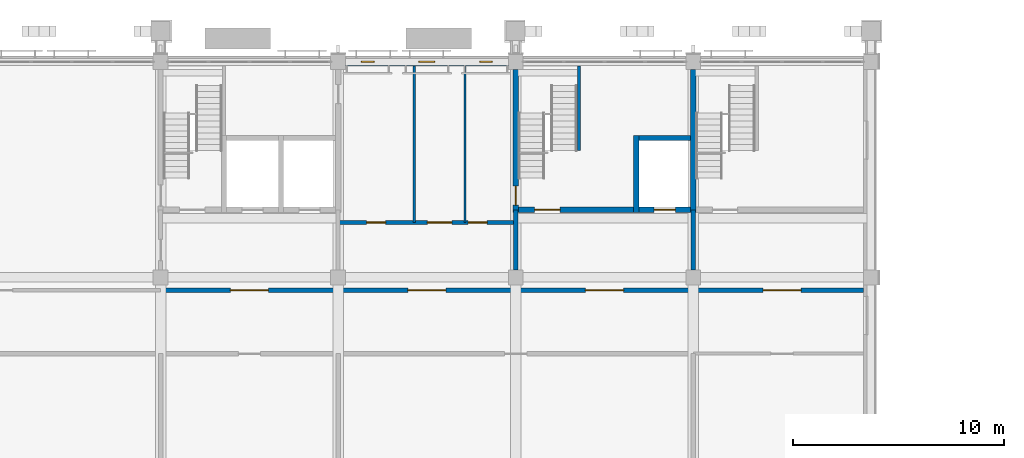
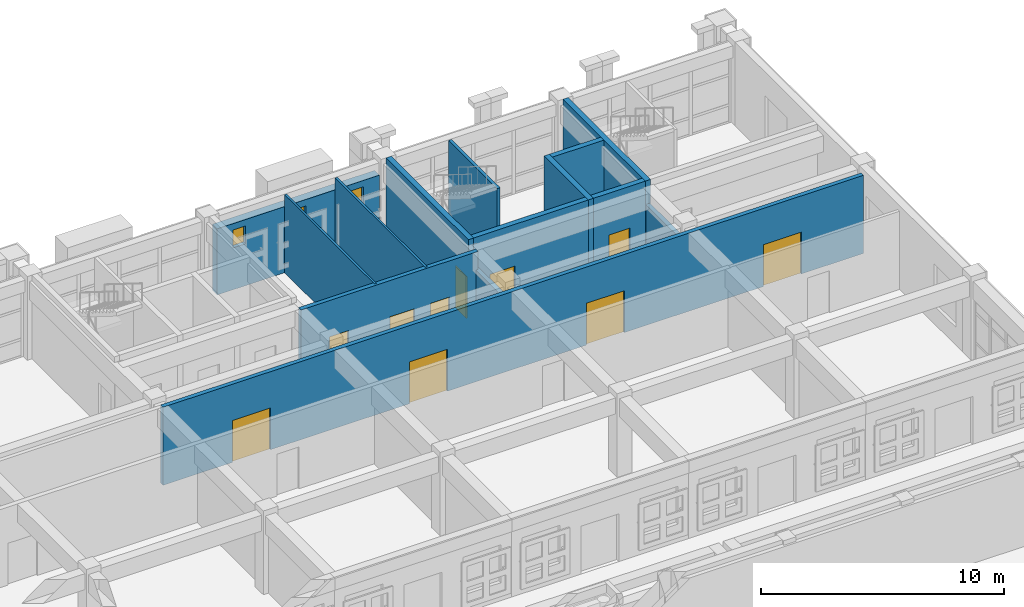
# One storey, part 66 of 99: 14 walls, 10 doors, 3 windows, 13 openings.
"""IFC4 building model written with IfcOpenShell, lengths in metres."""

from ifc_helpers import new_model, si_unit, direction, frame, frame_2d, origin, place, context, subcontext, project, spatial, rectangle, extrude, material, layer, layer_set, type_object, element, fill, save


model = new_model("IFC4")

# Units and contexts
model_context = context("Model", 3, precision=1e-05, world=origin(), true_north=direction((0.0, 1.0)))
body_context = subcontext(model_context, "Body", "Model", "MODEL_VIEW")
ifc_project = project(units=[si_unit("LENGTHUNIT", "METRE"), si_unit("AREAUNIT", "SQUARE_METRE"), si_unit("VOLUMEUNIT", "CUBIC_METRE"), si_unit("PLANEANGLEUNIT", "RADIAN"), si_unit("MASSUNIT", "GRAM", prefix="KILO")], contexts=[model_context])

# Site, building, storey
site_placement = place(None, origin())
site = spatial("IfcSite", under=ifc_project, at=site_placement, CompositionType="ELEMENT")
building_placement = place(site_placement, origin())
building = spatial("IfcBuilding", under=site, at=building_placement, Name="Wasatch Bagh Community Centre", CompositionType="ELEMENT")
storey_placement = place(building_placement, frame((0.0, 0.0, 4.199951171875)))
storey = spatial("IfcBuildingStorey", under=building, at=storey_placement, Name="L01", CompositionType="ELEMENT", Elevation=4.199951171875)

# Wall, opening, door
ifc_material_1 = material(Name="Concrete C40", Category="concrete")
ifc_layer_1 = layer(ifc_material_1, 0.25)
ifc_layer_set_1 = layer_set([ifc_layer_1], Name="Concrete C40")
wall_type_1 = type_object("IfcWallType", Name="LW core wall 250", PredefinedType="SHEAR", material=ifc_layer_set_1)
wall_1_placement = place(storey_placement, frame((122.925048828125, 90.800048828125, 0.0), z_axis=(0.0, 0.0, 1.0), x_axis=(1.0, 0.0, 0.0)))
wall_1 = element("IfcWall", 1, at=wall_1_placement, inside=storey, type_object=wall_type_1, Name="LW.swall.L01.07", PredefinedType="SHEAR", context=body_context, shape_type="SweptSolid", body=[
    extrude(rectangle(XDim=5.449951171875, YDim=0.25, at=frame_2d((2.72509765625, 0.0))), origin(), (0.0, 0.0, 1.0), 4.199951171875),
])
opening_1_placement = place(wall_1_placement, frame((0.77490234375, 0.0, 0.0)))
opening_1 = element("IfcOpeningElement", 2, at=opening_1_placement, cuts=wall_1, Name="Opening 1L-44", PredefinedType="OPENING", context=body_context, shape_type="SweptSolid", body=[
    extrude(rectangle(XDim=1.199951171875, YDim=2.10009765625, at=frame_2d((0.60009765625, 1.050048828125))), frame((0.0, 0.135009765625, 0.0), z_axis=(0.0, -1.0, 0.0), x_axis=(1.0, 0.0, 0.0)), (0.0, 0.0, 1.0), 0.27001953125),
])
ifc_material_2 = material(Name="Painted timber", Category="wood")
door_type_1 = type_object("IfcDoorType", Name="LW stair door 1200x2100", OperationType="SINGLE_SWING_LEFT", PredefinedType="DOOR", material=ifc_material_2)
door_1_placement = place(opening_1_placement, origin())
door_1 = element("IfcDoor", 3, at=door_1_placement, inside=storey, type_object=door_type_1, Name="Stair door 1L-44", OperationType="SINGLE_SWING_RIGHT", OverallHeight=2.10009765625, OverallWidth=1.199951171875, PredefinedType="DOOR", context=body_context, shape_type="SweptSolid", body=[
    extrude(rectangle(XDim=1.199951171875, YDim=2.10009765625, at=frame_2d((0.60009765625, 1.050048828125))), frame((0.0, 0.02490234375, 0.0), z_axis=(0.0, -1.0, 0.0), x_axis=(1.0, 0.0, 0.0)), (0.0, 0.0, 1.0), 0.050048828125),
])
fill(opening_1, door_1)

wall_2_placement = place(storey_placement, frame((128.625, 90.800048828125, 0.0), z_axis=(0.0, 0.0, 1.0), x_axis=(1.0, 0.0, 0.0)))
wall_2 = element("IfcWall", 4, at=wall_2_placement, inside=storey, type_object=wall_type_1, Name="LW.swall.L01.08", PredefinedType="SHEAR", context=body_context, shape_type="SweptSolid", body=[
    extrude(rectangle(XDim=2.449951171875, YDim=0.25, at=frame_2d((1.22509765625, 0.0))), origin(), (0.0, 0.0, 1.0), 4.199951171875),
])
opening_2_placement = place(wall_2_placement, frame((0.72509765625, 0.0, 0.0)))
opening_2 = element("IfcOpeningElement", 5, at=opening_2_placement, cuts=wall_2, Name="Opening 1L-45", PredefinedType="OPENING", context=body_context, shape_type="SweptSolid", body=[
    extrude(rectangle(XDim=1.0, YDim=2.10009765625, at=frame_2d((0.5, 1.050048828125))), frame((0.0, 0.135009765625, 0.0), z_axis=(0.0, -1.0, 0.0), x_axis=(1.0, 0.0, 0.0)), (0.0, 0.0, 1.0), 0.27001953125),
])
ifc_material_3 = material(Name="Stainless steel landing door", Category="steel")
door_type_2 = type_object("IfcDoorType", Name="Lift landing door 1000 x 2100", OperationType="SLIDING_TO_LEFT", PredefinedType="DOOR", material=ifc_material_3)
door_2_placement = place(opening_2_placement, origin())
door_2 = element("IfcDoor", 6, at=door_2_placement, inside=storey, type_object=door_type_2, Name="Lift landing door LD 1L-45", OperationType="SLIDING_TO_LEFT", OverallHeight=2.10009765625, OverallWidth=1.0, PredefinedType="DOOR", context=body_context, shape_type="SweptSolid", body=[
    extrude(rectangle(XDim=1.0, YDim=2.10009765625, at=frame_2d((0.5, 1.050048828125))), frame((0.0, 0.02490234375, 0.0), z_axis=(0.0, -1.0, 0.0), x_axis=(1.0, 0.0, 0.0)), (0.0, 0.0, 1.0), 0.050048828125),
])
fill(opening_2, door_2)

# Wall
wall_3_placement = place(storey_placement, frame((128.625, 94.199951171875, 0.0), z_axis=(0.0, 0.0, 1.0), x_axis=(1.0, 0.0, 0.0)))
element("IfcWall", 7, at=wall_3_placement, inside=storey, type_object=wall_type_1, Name="LW.swall.L01.13", PredefinedType="SHEAR", context=body_context, shape_type="SweptSolid", body=[
    extrude(rectangle(XDim=2.449951171875, YDim=0.25, at=frame_2d((1.22509765625, 0.0))), origin(), (0.0, 0.0, 1.0), 4.199951171875),
])

# Wall, opening, door
wall_4_placement = place(storey_placement, frame((122.800048828125, 90.675048828125, 0.0), z_axis=(0.0, 0.0, 1.0), x_axis=(0.0, 1.0, 0.0)))
wall_4 = element("IfcWall", 8, at=wall_4_placement, inside=storey, type_object=wall_type_1, Name="LW.swall.L01.24", PredefinedType="SHEAR", context=body_context, shape_type="SweptSolid", body=[
    extrude(rectangle(XDim=6.77490234375, YDim=0.25, at=frame_2d((3.387451171875, 0.0))), origin(), (0.0, 0.0, 1.0), 4.199951171875),
])
opening_3_placement = place(wall_4_placement, frame((0.35009765625, 0.0, 0.0)))
opening_3 = element("IfcOpeningElement", 9, at=opening_3_placement, cuts=wall_4, Name="Opening 1L-31", PredefinedType="OPENING", context=body_context, shape_type="SweptSolid", body=[
    extrude(rectangle(XDim=0.89990234375, YDim=2.10009765625, at=frame_2d((0.449951171875, 1.050048828125))), frame((0.0, 0.135009765625, 0.0), z_axis=(0.0, -1.0, 0.0), x_axis=(1.0, 0.0, 0.0)), (0.0, 0.0, 1.0), 0.27001953125),
])
door_type_3 = type_object("IfcDoorType", Name="LW WC door 900x2100", OperationType="SINGLE_SWING_LEFT", PredefinedType="DOOR", material=ifc_material_2)
door_3_placement = place(opening_3_placement, origin())
door_3 = element("IfcDoor", 10, at=door_3_placement, inside=storey, type_object=door_type_3, Name="Door Men's Toilets 1L-31", OperationType="SINGLE_SWING_LEFT", OverallHeight=2.10009765625, OverallWidth=0.89990234375, PredefinedType="DOOR", context=body_context, shape_type="SweptSolid", body=[
    extrude(rectangle(XDim=0.89990234375, YDim=2.10009765625, at=frame_2d((0.449951171875, 1.050048828125))), frame((0.0, 0.02490234375, 0.0), z_axis=(0.0, -1.0, 0.0), x_axis=(1.0, 0.0, 0.0)), (0.0, 0.0, 1.0), 0.050048828125),
])
fill(opening_3, door_3)

# Walls
wall_5_placement = place(storey_placement, frame((128.5, 90.675048828125, 0.0), z_axis=(0.0, 0.0, 1.0), x_axis=(0.0, 1.0, 0.0)))
element("IfcWall", 11, at=wall_5_placement, inside=storey, type_object=wall_type_1, Name="LW.swall.L01.25", PredefinedType="SHEAR", context=body_context, shape_type="SweptSolid", body=[
    extrude(rectangle(XDim=3.64990234375, YDim=0.25, at=frame_2d((1.824951171875, 0.0))), origin(), (0.0, 0.0, 1.0), 4.199951171875),
])
wall_6_placement = place(storey_placement, frame((131.199951171875, 90.675048828125, 0.0), z_axis=(0.0, 0.0, 1.0), x_axis=(0.0, 1.0, 0.0)))
element("IfcWall", 12, at=wall_6_placement, inside=storey, type_object=wall_type_1, Name="LW.swall.L01.26", PredefinedType="SHEAR", context=body_context, shape_type="SweptSolid", body=[
    extrude(rectangle(XDim=6.77490234375, YDim=0.25, at=frame_2d((3.387451171875, 0.0))), origin(), (0.0, 0.0, 1.0), 4.199951171875),
])

# Wall, openings, windows
ifc_material_4 = material(Name="Concrete C35", Category="concrete")
ifc_layer_2 = layer(ifc_material_4, 0.39990234375)
ifc_layer_set_2 = layer_set([ifc_layer_2], Name="Concrete C35")
wall_type_2 = type_object("IfcWallType", Name="LW facade wall 400", PredefinedType="SOLIDWALL", material=ifc_layer_set_2)
wall_7_placement = place(storey_placement, frame((114.75, 97.800048828125, 0.0), z_axis=(0.0, 0.0, 1.0), x_axis=(1.0, 0.0, 0.0)))
wall_7 = element("IfcWall", 13, at=wall_7_placement, inside=storey, type_object=wall_type_2, Name="Facade wall", PredefinedType="SOLIDWALL", context=body_context, shape_type="SweptSolid", body=[
    extrude(rectangle(XDim=7.699951171875, YDim=0.39990234375, at=frame_2d((3.85009765625, 0.0))), origin(), (0.0, 0.0, 1.0), 3.320068359375),
])
opening_4_placement = place(wall_7_placement, frame((0.75, 0.0, 2.10009765625)))
opening_4 = element("IfcOpeningElement", 14, at=opening_4_placement, cuts=wall_7, Name="Opening 1L-W022", PredefinedType="OPENING", context=body_context, shape_type="SweptSolid", body=[
    extrude(rectangle(XDim=0.60009765625, YDim=0.89990234375, at=frame_2d((0.300048828125, 0.449951171875))), frame((0.0, 0.2099609375, 0.0), z_axis=(0.0, -1.0, 0.0), x_axis=(1.0, 0.0, 0.0)), (0.0, 0.0, 1.0), 0.419921875),
])
opening_5_placement = place(wall_7_placement, frame((3.47509765625, 0.0, 2.10009765625)))
opening_5 = element("IfcOpeningElement", 15, at=opening_5_placement, cuts=wall_7, Name="Opening 1L-W023", PredefinedType="OPENING", context=body_context, shape_type="SweptSolid", body=[
    extrude(rectangle(XDim=0.75, YDim=0.89990234375, at=frame_2d((0.375, 0.449951171875))), frame((0.0, 0.2099609375, 0.0), z_axis=(0.0, -1.0, 0.0), x_axis=(1.0, 0.0, 0.0)), (0.0, 0.0, 1.0), 0.419921875),
])
opening_6_placement = place(wall_7_placement, frame((6.35009765625, 0.0, 2.10009765625)))
opening_6 = element("IfcOpeningElement", 16, at=opening_6_placement, cuts=wall_7, Name="Opening 1L-W024", PredefinedType="OPENING", context=body_context, shape_type="SweptSolid", body=[
    extrude(rectangle(XDim=0.60009765625, YDim=0.89990234375, at=frame_2d((0.300048828125, 0.449951171875))), frame((0.0, 0.2099609375, 0.0), z_axis=(0.0, -1.0, 0.0), x_axis=(1.0, 0.0, 0.0)), (0.0, 0.0, 1.0), 0.419921875),
])
ifc_material_5 = material(Name="Aluminium framed double glazing", Category="aluminium")
window_type_1 = type_object("IfcWindowType", Name="LW WC window 600x900", PartitioningType="SINGLE_PANEL", PredefinedType="WINDOW", material=ifc_material_5)
window_1_placement = place(opening_4_placement, origin())
window_1 = element("IfcWindow", 17, at=window_1_placement, inside=storey, type_object=window_type_1, Name="Window 1L-W022", OverallHeight=0.89990234375, OverallWidth=0.60009765625, PartitioningType="SINGLE_PANEL", PredefinedType="WINDOW", context=body_context, shape_type="SweptSolid", body=[
    extrude(rectangle(XDim=0.60009765625, YDim=0.89990234375, at=frame_2d((0.300048828125, 0.449951171875))), frame((0.0, 0.030029296875, 0.0), z_axis=(0.0, -1.0, 0.0), x_axis=(1.0, 0.0, 0.0)), (0.0, 0.0, 1.0), 0.06005859375),
])
fill(opening_4, window_1)
window_2_placement = place(opening_6_placement, origin())
window_2 = element("IfcWindow", 18, at=window_2_placement, inside=storey, type_object=window_type_1, Name="Window 1L-W024", OverallHeight=0.89990234375, OverallWidth=0.60009765625, PartitioningType="SINGLE_PANEL", PredefinedType="WINDOW", context=body_context, shape_type="SweptSolid", body=[
    extrude(rectangle(XDim=0.60009765625, YDim=0.89990234375, at=frame_2d((0.300048828125, 0.449951171875))), frame((0.0, 0.030029296875, 0.0), z_axis=(0.0, -1.0, 0.0), x_axis=(1.0, 0.0, 0.0)), (0.0, 0.0, 1.0), 0.06005859375),
])
fill(opening_6, window_2)
window_type_2 = type_object("IfcWindowType", Name="LW accessible WC window 750x900", PartitioningType="SINGLE_PANEL", PredefinedType="WINDOW", material=ifc_material_5)
window_3_placement = place(opening_5_placement, origin())
window_3 = element("IfcWindow", 19, at=window_3_placement, inside=storey, type_object=window_type_2, Name="Window 1L-W023", OverallHeight=0.89990234375, OverallWidth=0.75, PartitioningType="SINGLE_PANEL", PredefinedType="WINDOW", context=body_context, shape_type="SweptSolid", body=[
    extrude(rectangle(XDim=0.75, YDim=0.89990234375, at=frame_2d((0.375, 0.449951171875))), frame((0.0, 0.030029296875, 0.0), z_axis=(0.0, -1.0, 0.0), x_axis=(1.0, 0.0, 0.0)), (0.0, 0.0, 1.0), 0.06005859375),
])
fill(opening_5, window_3)

# Wall, openings, doors
ifc_material_6 = material(Name="Blockwork fire partition", Category="masonry")
ifc_layer_3 = layer(ifc_material_6, 0.199951171875)
ifc_layer_set_3 = layer_set([ifc_layer_3], Name="Blockwork fire partition")
wall_type_3 = type_object("IfcWallType", Name="LW fire partition 200", PredefinedType="PARTITIONING", material=ifc_layer_set_3)
wall_8_placement = place(storey_placement, frame((106.0, 87.0, 0.0), z_axis=(0.0, 0.0, 1.0), x_axis=(1.0, 0.0, 0.0)))
wall_8 = element("IfcWall", 20, at=wall_8_placement, inside=storey, type_object=wall_type_3, Name="LW.part.L01.006", PredefinedType="PARTITIONING", context=body_context, shape_type="SweptSolid", body=[
    extrude(rectangle(XDim=33.25, YDim=0.199951171875, at=frame_2d((16.625, 0.0))), origin(), (0.0, 0.0, 1.0), 3.920166015625),
])
opening_7_placement = place(wall_8_placement, frame((3.300048828125, 0.0, 0.0)))
opening_7 = element("IfcOpeningElement", 21, at=opening_7_placement, cuts=wall_8, Name="Opening 1L-34", PredefinedType="OPENING", context=body_context, shape_type="SweptSolid", body=[
    extrude(rectangle(XDim=1.800048828125, YDim=2.10009765625, at=frame_2d((0.89990234375, 1.050048828125))), frame((0.0, 0.10986328125, 0.0), z_axis=(0.0, -1.0, 0.0), x_axis=(1.0, 0.0, 0.0)), (0.0, 0.0, 1.0), 0.219970703125),
])
opening_8_placement = place(wall_8_placement, frame((11.699951171875, 0.0, 0.0)))
opening_8 = element("IfcOpeningElement", 22, at=opening_8_placement, cuts=wall_8, Name="Opening 1L-35", PredefinedType="OPENING", context=body_context, shape_type="SweptSolid", body=[
    extrude(rectangle(XDim=1.800048828125, YDim=2.10009765625, at=frame_2d((0.89990234375, 1.050048828125))), frame((0.0, 0.10986328125, 0.0), z_axis=(0.0, -1.0, 0.0), x_axis=(1.0, 0.0, 0.0)), (0.0, 0.0, 1.0), 0.219970703125),
])
opening_9_placement = place(wall_8_placement, frame((20.10009765625, 0.0, 0.0)))
opening_9 = element("IfcOpeningElement", 23, at=opening_9_placement, cuts=wall_8, Name="Opening 1L-36", PredefinedType="OPENING", context=body_context, shape_type="SweptSolid", body=[
    extrude(rectangle(XDim=1.800048828125, YDim=2.10009765625, at=frame_2d((0.89990234375, 1.050048828125))), frame((0.0, 0.10986328125, 0.0), z_axis=(0.0, -1.0, 0.0), x_axis=(1.0, 0.0, 0.0)), (0.0, 0.0, 1.0), 0.219970703125),
])
opening_10_placement = place(wall_8_placement, frame((28.5, 0.0, 0.0)))
opening_10 = element("IfcOpeningElement", 24, at=opening_10_placement, cuts=wall_8, Name="Opening 1L-37", PredefinedType="OPENING", context=body_context, shape_type="SweptSolid", body=[
    extrude(rectangle(XDim=1.800048828125, YDim=2.10009765625, at=frame_2d((0.89990234375, 1.050048828125))), frame((0.0, 0.10986328125, 0.0), z_axis=(0.0, -1.0, 0.0), x_axis=(1.0, 0.0, 0.0)), (0.0, 0.0, 1.0), 0.219970703125),
])
door_type_4 = type_object("IfcDoorType", Name="LW door pair 1800x2100", OperationType="DOUBLE_DOOR_SINGLE_SWING", PredefinedType="DOOR", material=ifc_material_2)
door_4_placement = place(opening_7_placement, origin())
door_4 = element("IfcDoor", 25, at=door_4_placement, inside=storey, type_object=door_type_4, Name="Door Core Lobby C2 1L-34", OperationType="DOUBLE_DOOR_SINGLE_SWING", OverallHeight=2.10009765625, OverallWidth=1.800048828125, PredefinedType="DOOR", context=body_context, shape_type="SweptSolid", body=[
    extrude(rectangle(XDim=1.800048828125, YDim=2.10009765625, at=frame_2d((0.89990234375, 1.050048828125))), frame((0.0, 0.02490234375, 0.0), z_axis=(0.0, -1.0, 0.0), x_axis=(1.0, 0.0, 0.0)), (0.0, 0.0, 1.0), 0.050048828125),
])
fill(opening_7, door_4)
door_5_placement = place(opening_8_placement, origin())
door_5 = element("IfcDoor", 26, at=door_5_placement, inside=storey, type_object=door_type_4, Name="Door WC Lobby 1L-35", OperationType="DOUBLE_DOOR_SINGLE_SWING", OverallHeight=2.10009765625, OverallWidth=1.800048828125, PredefinedType="DOOR", context=body_context, shape_type="SweptSolid", body=[
    extrude(rectangle(XDim=1.800048828125, YDim=2.10009765625, at=frame_2d((0.89990234375, 1.050048828125))), frame((0.0, 0.02490234375, 0.0), z_axis=(0.0, -1.0, 0.0), x_axis=(1.0, 0.0, 0.0)), (0.0, 0.0, 1.0), 0.050048828125),
])
fill(opening_8, door_5)
door_6_placement = place(opening_9_placement, origin())
door_6 = element("IfcDoor", 27, at=door_6_placement, inside=storey, type_object=door_type_4, Name="Door Core Lobby C3 1L-36", OperationType="DOUBLE_DOOR_SINGLE_SWING", OverallHeight=2.10009765625, OverallWidth=1.800048828125, PredefinedType="DOOR", context=body_context, shape_type="SweptSolid", body=[
    extrude(rectangle(XDim=1.800048828125, YDim=2.10009765625, at=frame_2d((0.89990234375, 1.050048828125))), frame((0.0, 0.02490234375, 0.0), z_axis=(0.0, -1.0, 0.0), x_axis=(1.0, 0.0, 0.0)), (0.0, 0.0, 1.0), 0.050048828125),
])
fill(opening_9, door_6)
door_7_placement = place(opening_10_placement, origin())
door_7 = element("IfcDoor", 28, at=door_7_placement, inside=storey, type_object=door_type_4, Name="Door East Stair Lobby 1L-37", OperationType="DOUBLE_DOOR_SINGLE_SWING", OverallHeight=2.10009765625, OverallWidth=1.800048828125, PredefinedType="DOOR", context=body_context, shape_type="SweptSolid", body=[
    extrude(rectangle(XDim=1.800048828125, YDim=2.10009765625, at=frame_2d((0.89990234375, 1.050048828125))), frame((0.0, 0.02490234375, 0.0), z_axis=(0.0, -1.0, 0.0), x_axis=(1.0, 0.0, 0.0)), (0.0, 0.0, 1.0), 0.050048828125),
])
fill(opening_10, door_7)

wall_9_placement = place(storey_placement, frame((114.39990234375, 90.199951171875, 0.0), z_axis=(0.0, 0.0, 1.0), x_axis=(1.0, 0.0, 0.0)))
wall_9 = element("IfcWall", 29, at=wall_9_placement, inside=storey, type_object=wall_type_3, Name="LW.part.L01.009", PredefinedType="PARTITIONING", context=body_context, shape_type="SweptSolid", body=[
    extrude(rectangle(XDim=8.400146484375, YDim=0.199951171875, at=frame_2d((4.2001953125, 0.0))), origin(), (0.0, 0.0, 1.0), 3.920166015625),
])
opening_11_placement = place(wall_9_placement, frame((1.35009765625, 0.0, 0.0)))
opening_11 = element("IfcOpeningElement", 30, at=opening_11_placement, cuts=wall_9, Name="Opening 1L-28", PredefinedType="OPENING", context=body_context, shape_type="SweptSolid", body=[
    extrude(rectangle(XDim=0.89990234375, YDim=2.10009765625, at=frame_2d((0.449951171875, 1.050048828125))), frame((0.0, 0.10986328125, 0.0), z_axis=(0.0, -1.0, 0.0), x_axis=(1.0, 0.0, 0.0)), (0.0, 0.0, 1.0), 0.219970703125),
])
opening_12_placement = place(wall_9_placement, frame((4.22509765625, 0.0, 0.0)))
opening_12 = element("IfcOpeningElement", 31, at=opening_12_placement, cuts=wall_9, Name="Opening 1L-29", PredefinedType="OPENING", context=body_context, shape_type="SweptSolid", body=[
    extrude(rectangle(XDim=1.14990234375, YDim=2.10009765625, at=frame_2d((0.574951171875, 1.050048828125))), frame((0.0, 0.10986328125, 0.0), z_axis=(0.0, -1.0, 0.0), x_axis=(1.0, 0.0, 0.0)), (0.0, 0.0, 1.0), 0.219970703125),
])
opening_13_placement = place(wall_9_placement, frame((6.14990234375, 0.0, 0.0)))
opening_13 = element("IfcOpeningElement", 32, at=opening_13_placement, cuts=wall_9, Name="Opening 1L-30", PredefinedType="OPENING", context=body_context, shape_type="SweptSolid", body=[
    extrude(rectangle(XDim=0.89990234375, YDim=2.10009765625, at=frame_2d((0.449951171875, 1.050048828125))), frame((0.0, 0.10986328125, 0.0), z_axis=(0.0, -1.0, 0.0), x_axis=(1.0, 0.0, 0.0)), (0.0, 0.0, 1.0), 0.219970703125),
])
door_8_placement = place(opening_11_placement, origin())
door_8 = element("IfcDoor", 33, at=door_8_placement, inside=storey, type_object=door_type_3, Name="Door Women's Toilets 1L-28", OperationType="SINGLE_SWING_RIGHT", OverallHeight=2.10009765625, OverallWidth=0.89990234375, PredefinedType="DOOR", context=body_context, shape_type="SweptSolid", body=[
    extrude(rectangle(XDim=0.89990234375, YDim=2.10009765625, at=frame_2d((0.449951171875, 1.050048828125))), frame((0.0, 0.02490234375, 0.0), z_axis=(0.0, -1.0, 0.0), x_axis=(1.0, 0.0, 0.0)), (0.0, 0.0, 1.0), 0.050048828125),
])
fill(opening_11, door_8)
door_9_placement = place(opening_13_placement, origin())
door_9 = element("IfcDoor", 34, at=door_9_placement, inside=storey, type_object=door_type_3, Name="Door Men's Toilets 1L-30", OperationType="SINGLE_SWING_RIGHT", OverallHeight=2.10009765625, OverallWidth=0.89990234375, PredefinedType="DOOR", context=body_context, shape_type="SweptSolid", body=[
    extrude(rectangle(XDim=0.89990234375, YDim=2.10009765625, at=frame_2d((0.449951171875, 1.050048828125))), frame((0.0, 0.02490234375, 0.0), z_axis=(0.0, -1.0, 0.0), x_axis=(1.0, 0.0, 0.0)), (0.0, 0.0, 1.0), 0.050048828125),
])
fill(opening_13, door_9)
door_type_5 = type_object("IfcDoorType", Name="LW accessible WC door 1150x2100", OperationType="SINGLE_SWING_LEFT", PredefinedType="DOOR", material=ifc_material_2)
door_10_placement = place(opening_12_placement, origin())
door_10 = element("IfcDoor", 35, at=door_10_placement, inside=storey, type_object=door_type_5, Name="Door Accessible WC 2 1L-29", OperationType="SINGLE_SWING_LEFT", OverallHeight=2.10009765625, OverallWidth=1.14990234375, PredefinedType="DOOR", context=body_context, shape_type="SweptSolid", body=[
    extrude(rectangle(XDim=1.14990234375, YDim=2.10009765625, at=frame_2d((0.574951171875, 1.050048828125))), frame((0.0, 0.02490234375, 0.0), z_axis=(0.0, -1.0, 0.0), x_axis=(1.0, 0.0, 0.0)), (0.0, 0.0, 1.0), 0.050048828125),
])
fill(opening_12, door_10)

# Walls
for number, where, z_axis, x_axis, name in (
    (36, (122.800048828125, 87.949951171875, 0.0), (0.0, 0.0, 1.0), (0.0, 1.0, 0.0), "LW.part.L01.027"),
    (37, (131.199951171875, 87.949951171875, 0.0), (0.0, 0.0, 1.0), (0.0, 1.0, 0.0), "LW.part.L01.028"),
):
    element("IfcWall", number, at=place(storey_placement, frame(where, z_axis=z_axis, x_axis=x_axis)), inside=storey, type_object=wall_type_3, Name=name, PredefinedType="PARTITIONING", context=body_context, shape_type="SweptSolid", body=[
        extrude(rectangle(XDim=2.85009765625, YDim=0.199951171875, at=frame_2d((1.425048828125, 0.0))), origin(), (0.0, 0.0, 1.0), 3.02001953125),
    ])
ifc_material_7 = material(Name="Gypsum board on steel studs", Category="steel")
ifc_layer_4 = layer(ifc_material_7, 0.14990234375)
ifc_layer_set_4 = layer_set([ifc_layer_4], Name="Gypsum board on steel studs")
wall_type_4 = type_object("IfcWallType", Name="LW partition 150", PredefinedType="PARTITIONING", material=ifc_layer_set_4)
wall_10_placement = place(storey_placement, frame((125.800048828125, 93.60009765625, 0.0), z_axis=(0.0, 0.0, 1.0), x_axis=(0.0, 1.0, 0.0)))
element("IfcWall", 38, at=wall_10_placement, inside=storey, type_object=wall_type_4, Name="Stair compartment wall", PredefinedType="PARTITIONING", context=body_context, shape_type="SweptSolid", body=[
    extrude(rectangle(XDim=4.0, YDim=0.14990234375, at=frame_2d((2.0, 0.0))), origin(), (0.0, 0.0, 1.0), 3.920166015625),
])
ifc_material_8 = material(Name="Tiled blockwork", Category="masonry")
ifc_layer_5 = layer(ifc_material_8, 0.10009765625)
ifc_layer_set_5 = layer_set([ifc_layer_5], Name="Tiled blockwork")
wall_type_5 = type_object("IfcWallType", Name="LW wet-room partition 100", PredefinedType="PARTITIONING", material=ifc_layer_set_5)
for number, where, z_axis, x_axis, name in (
    (39, (118.0, 90.199951171875, 0.0), (0.0, 0.0, 1.0), (0.0, 1.0, 0.0), "LW.part.L01.025"),
    (40, (120.39990234375, 90.199951171875, 0.0), (0.0, 0.0, 1.0), (0.0, 1.0, 0.0), "LW.part.L01.026"),
):
    element("IfcWall", number, at=place(storey_placement, frame(where, z_axis=z_axis, x_axis=x_axis)), inside=storey, type_object=wall_type_5, Name=name, PredefinedType="PARTITIONING", context=body_context, shape_type="SweptSolid", body=[
        extrude(rectangle(XDim=7.400146484375, YDim=0.10009765625, at=frame_2d((3.7001953125, 0.0))), origin(), (0.0, 0.0, 1.0), 3.920166015625),
    ])

save(model, "model.ifc")
